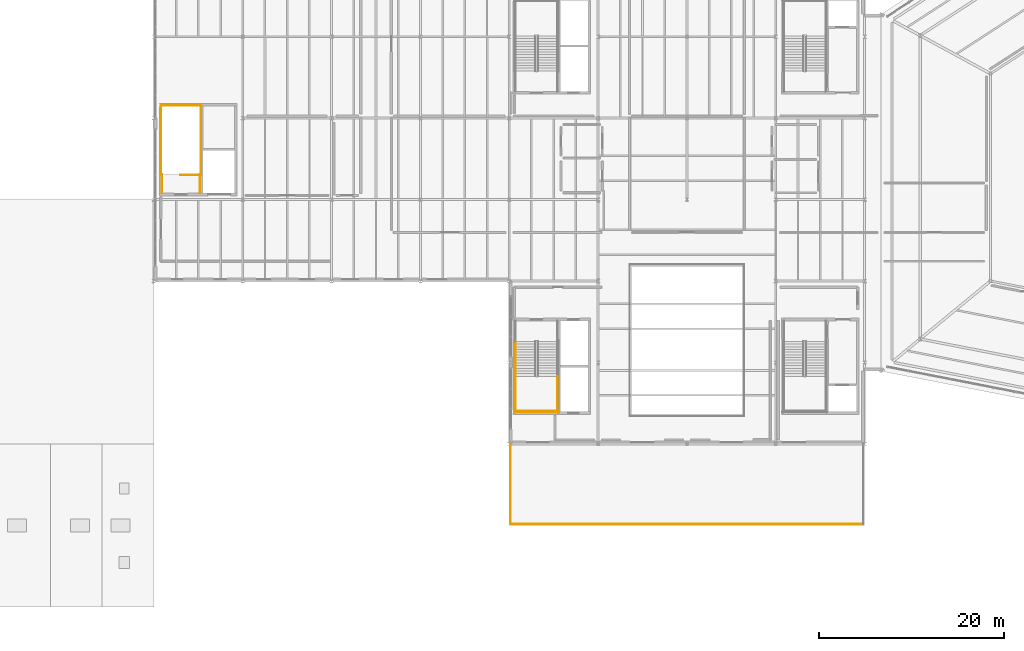
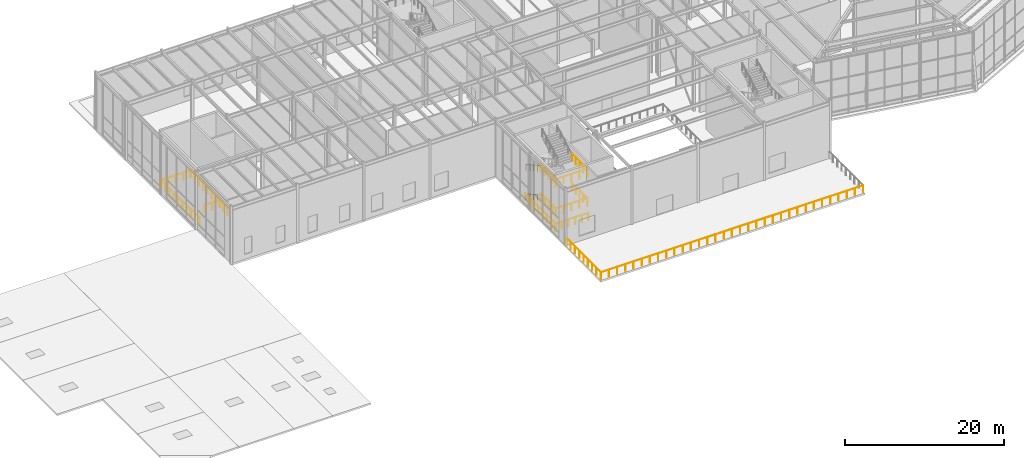
# One storey, part 42 of 48: 18 railings.
"""IFC4 building model written with IfcOpenShell, lengths in metres."""

import ifcopenshell
import ifcopenshell.guid

model = None  # the IFC model being written
_history = None  # IfcOwnerHistory: only IFC2X3 demands one
_inside = {}  # id of a spatial element -> (the spatial element, [elements in it])
_under = {}  # id of a project, library or spatial element -> (it, [spatial elements below it])
_declared = {}  # id of a project -> (the project, [libraries it declares])
_typed = {}  # id of a type object -> (the type object, [elements of that type])
_made_of = {}  # id of a material, layer set ... -> (it, [elements and type objects made of it])


def new_model(schema):
    """Start an empty IFC model of exactly this schema.

    Asked for "IFC4X3", IfcOpenShell would pick the latest addendum, in which some entities
    have other attributes; the version numbers below select the first issue.
    IFC2X3 requires an IfcOwnerHistory on every rooted entity: one is made here for all.
    """
    global model, _history
    if schema == "IFC4X3":
        model = ifcopenshell.file(schema_version=(4, 3, 0, 0))
    else:
        model = ifcopenshell.file(schema=schema)
    _inside.clear()
    _under.clear()
    _declared.clear()
    _typed.clear()
    _made_of.clear()
    _history = None
    if model.schema == "IFC2X3":
        org = make("IfcOrganization", Name="unknown")
        user = make(
            "IfcPersonAndOrganization",
            ThePerson=make("IfcPerson", FamilyName="unknown"),
            TheOrganization=org,
        )
        app = make(
            "IfcApplication",
            ApplicationDeveloper=org,
            Version="unknown",
            ApplicationFullName="unknown",
            ApplicationIdentifier="unknown",
        )
        _history = make(
            "IfcOwnerHistory",
            OwningUser=user,
            OwningApplication=app,
            ChangeAction="ADDED",
            CreationDate=0,
        )
    return model


def make(cls, **values):
    """One entity of the class cls with the attributes given. An attribute that is None is left unset."""
    return model.create_entity(
        cls, **{name: value for name, value in values.items() if value is not None}
    )


def rooted(cls, **values):
    """An entity with a GlobalId (a new one), such as an element, a storey or a relation."""
    return make(cls, GlobalId=ifcopenshell.guid.new(), OwnerHistory=_history, **values)


def si_unit(unit_type, name, prefix=None):
    """IfcSIUnit, for example si_unit("LENGTHUNIT", "METRE", prefix="MILLI")."""
    return make("IfcSIUnit", UnitType=unit_type, Prefix=prefix, Name=name)


def assignment(units):
    """IfcUnitAssignment: the units of a project."""
    return None if units is None else make("IfcUnitAssignment", Units=units)


def point(xyz):
    """IfcCartesianPoint."""
    return None if xyz is None else make("IfcCartesianPoint", Coordinates=xyz)


def direction(xyz):
    """IfcDirection."""
    return None if xyz is None else make("IfcDirection", DirectionRatios=xyz)


def frame(location, z_axis=None, x_axis=None):
    """IfcAxis2Placement3D, a coordinate frame: its origin and axes. An axis left out is left unset."""
    return make(
        "IfcAxis2Placement3D",
        Location=point(location),
        Axis=direction(z_axis),
        RefDirection=direction(x_axis),
    )


def frame_2d(location, x_axis=None):
    """IfcAxis2Placement2D, a coordinate frame in the plane: its origin and x axis."""
    return make(
        "IfcAxis2Placement2D", Location=point(location), RefDirection=direction(x_axis)
    )


def origin():
    """The frame at (0, 0, 0) with its axes left unset."""
    return frame((0.0, 0.0, 0.0))


def origin_2d():
    """The frame at (0, 0) in the plane with its x axis left unset."""
    return frame_2d((0.0, 0.0))


def place(relative_to, where):
    """IfcLocalPlacement: puts the frame where relative to a parent placement (None: the world)."""
    return make(
        "IfcLocalPlacement", PlacementRelTo=relative_to, RelativePlacement=where
    )


def context(
    kind, dimensions, precision=None, world=None, true_north=None, identifier=None
):
    """IfcGeometricRepresentationContext, for example the 3D "Model" context."""
    return make(
        "IfcGeometricRepresentationContext",
        ContextIdentifier=identifier,
        ContextType=kind,
        CoordinateSpaceDimension=dimensions,
        Precision=precision,
        WorldCoordinateSystem=world,
        TrueNorth=true_north,
    )


def subcontext(parent, identifier, kind, view, scale=None):
    """IfcGeometricRepresentationSubContext, for example "Body" below "Model"."""
    return make(
        "IfcGeometricRepresentationSubContext",
        ContextIdentifier=identifier,
        ContextType=kind,
        ParentContext=parent,
        TargetScale=scale,
        TargetView=view,
    )


def project(units=None, contexts=None):
    """IfcProject with its units and contexts."""
    return rooted(
        "IfcProject",
        Name="project",
        RepresentationContexts=contexts,
        UnitsInContext=assignment(units),
    )


def spatial(cls, under=None, at=None, **own):
    """A site, building, storey or space (cls), placed at a placement, below another one or the project."""
    s = rooted(cls, ObjectPlacement=at, **own)
    if under is not None:
        _under.setdefault(under.id(), (under, []))[1].append(s)
    return s


def profile(cls, at=None, kind="AREA", **sizes):
    """A parametric profile (cls). Its sizes go by their IFC names, for example OverallWidth=200.0."""
    return make(cls, ProfileType=kind, Position=at, **sizes)


def circle(**sizes):
    """IfcCircleProfileDef."""
    return profile("IfcCircleProfileDef", **sizes)


def extrude(swept, where, along, depth):
    """IfcExtrudedAreaSolid: the profile swept, set in the frame where, extruded along a direction by depth."""
    return make(
        "IfcExtrudedAreaSolid",
        SweptArea=swept,
        Position=where,
        ExtrudedDirection=direction(along),
        Depth=depth,
    )


def shape(context_of_items, identifier, shape_type, items):
    """IfcShapeRepresentation: the items that make up one representation, for example the "Body"."""
    return make(
        "IfcShapeRepresentation",
        ContextOfItems=context_of_items,
        RepresentationIdentifier=identifier,
        RepresentationType=shape_type,
        Items=items,
    )


def material(Name=None, Category=None):
    """IfcMaterial."""
    return make("IfcMaterial", Name=Name, Category=Category)


def layer(
    of_material, thickness, ventilated=None, Name=None, Category=None, Priority=None
):
    """IfcMaterialLayer: one layer of a wall or slab, of a material (None: an air gap)."""
    return make(
        "IfcMaterialLayer",
        Material=of_material,
        LayerThickness=thickness,
        IsVentilated=ventilated,
        Name=Name,
        Category=Category,
        Priority=Priority,
    )


def layer_set(layers, Name=None):
    """IfcMaterialLayerSet."""
    return make("IfcMaterialLayerSet", MaterialLayers=layers, LayerSetName=Name)


def made_of(thing, what):
    """Note that an element or type object is made of a material, layer set ...; save() writes the relation."""
    if what is not None:
        _made_of.setdefault(what.id(), (what, []))[1].append(thing)
    return thing


def type_object(cls, material=None, **own):
    """A type object (cls), such as IfcWallType, which elements share."""
    return made_of(rooted(cls, **own), material)


def element(
    cls,
    number,
    at=None,
    inside=None,
    cuts=None,
    type_object=None,
    material=None,
    context=None,
    identifier="Body",
    shape_type=None,
    held_by="IfcProductDefinitionShape",
    body=None,
    shapes=None,
    **own,
):
    """One element of the class cls, such as IfcWall. Its Tag is "e" and its number.

    at: its placement. inside: the storey or other place that contains it. cuts: it is an
    opening in that element (IfcRelVoidsElement). A single representation is given by context,
    identifier, shape_type and body (its items); several are given by shapes. held_by: the class
    of the entity that holds the representations. save() writes the other relations.
    """
    e = rooted(cls, Tag="e%d" % number, ObjectPlacement=at, **own)
    if body is not None:
        shapes = [shape(context, identifier, shape_type, body)]
    if shapes is not None:
        e.Representation = make(held_by, Representations=shapes)
    if inside is not None:
        _inside.setdefault(inside.id(), (inside, []))[1].append(e)
    if cuts is not None:
        rooted(
            "IfcRelVoidsElement", RelatingBuildingElement=cuts, RelatedOpeningElement=e
        )
    if type_object is not None:
        _typed.setdefault(type_object.id(), (type_object, []))[1].append(e)
    return made_of(e, material)


def aggregate(whole, parts):
    """IfcRelAggregates: a whole, such as a stair, and the parts it consists of."""
    return rooted("IfcRelAggregates", RelatingObject=whole, RelatedObjects=parts)


def save(model, path):
    """Write the relations noted so far, then the file.

    IfcRelAggregates (storeys below a building ...), IfcRelContainedInSpatialStructure (elements
    in a storey), IfcRelDefinesByType, IfcRelAssociatesMaterial and IfcRelDeclares: one each for
    every whole, place, type object, material and project.
    """
    for whole, parts in _under.values():
        aggregate(whole, parts)
    for where, things in _inside.values():
        rooted(
            "IfcRelContainedInSpatialStructure",
            RelatedElements=things,
            RelatingStructure=where,
        )
    for kind, things in _typed.values():
        rooted("IfcRelDefinesByType", RelatedObjects=things, RelatingType=kind)
    for what, things in _made_of.values():
        rooted("IfcRelAssociatesMaterial", RelatedObjects=things, RelatingMaterial=what)
    for by, libraries in _declared.values():
        rooted("IfcRelDeclares", RelatingContext=by, RelatedDefinitions=libraries)
    model.write(path)


model = new_model("IFC4")

# Units and contexts
model_context = context("Model", 3, precision=1e-05, world=origin(), true_north=direction((0.0, 1.0)))
body_context = subcontext(model_context, "Body", "Model", "MODEL_VIEW")
ifc_project = project(units=[si_unit("LENGTHUNIT", "METRE"), si_unit("AREAUNIT", "SQUARE_METRE"), si_unit("VOLUMEUNIT", "CUBIC_METRE"), si_unit("PLANEANGLEUNIT", "RADIAN"), si_unit("MASSUNIT", "GRAM", prefix="KILO")], contexts=[model_context])

# Site, building, storey
site_placement = place(None, origin())
site = spatial("IfcSite", under=ifc_project, at=site_placement, CompositionType="ELEMENT")
building_placement = place(site_placement, origin())
building = spatial("IfcBuilding", under=site, at=building_placement, Name="Sarnbrook Museum", CompositionType="ELEMENT")
storey_placement = place(building_placement, frame((0.0, 0.0, 19.10009765625)))
storey = spatial("IfcBuildingStorey", under=building, at=storey_placement, Name="L04", CompositionType="ELEMENT", Elevation=19.10009765625)

# Railings
ifc_material_1 = material(Name="Brushed Stainless Steel Grade 316", Category="steel")
ifc_layer_1 = layer(ifc_material_1, 0.050048828125)
ifc_layer_set_1 = layer_set([ifc_layer_1], Name="Brushed Stainless Steel Grade 316")
railing_type_1 = type_object("IfcRailingType", Name="Guard_Int1120", PredefinedType="BALUSTRADE", material=ifc_layer_set_1)
for number, where, name in (
    (1, (81.489990234375, 64.110107421875, 2.25), "L04 ST3 stair guard 3"),
    (2, (86.010009765625, 64.110107421875, 2.25), "L04 ST3 stair guard 4"),
):
    element("IfcRailing", number, at=place(storey_placement, frame(where)), inside=storey, type_object=railing_type_1, Name=name, PredefinedType="BALUSTRADE", context=body_context, shape_type="SweptSolid", body=[
        extrude(circle(Radius=0.02392578125, at=origin_2d()), frame((0.0, 0.0, 1.09619140625), z_axis=(0.0, -1.0, 0.0), x_axis=(1.0, 0.0, 0.0)), (0.0, 0.0, 1.0), 3.81005859375),
        extrude(circle(Radius=0.02099609375, at=origin_2d()), origin(), (0.0, 0.0, 1.0), 1.072021484375),
        extrude(circle(Radius=0.02099609375, at=origin_2d()), frame((0.0, -0.95263671875, 0.0)), (0.0, 0.0, 1.0), 1.072021484375),
        extrude(circle(Radius=0.02099609375, at=origin_2d()), frame((0.0, -1.905029296875, 0.0)), (0.0, 0.0, 1.0), 1.072021484375),
        extrude(circle(Radius=0.02099609375, at=origin_2d()), frame((0.0, -2.857421875, 0.0)), (0.0, 0.0, 1.0), 1.072021484375),
        extrude(circle(Radius=0.02099609375, at=origin_2d()), frame((0.0, -3.81005859375, 0.0)), (0.0, 0.0, 1.0), 1.072021484375),
    ])
railing_1_placement = place(storey_placement, frame((81.43994140625, 60.35009765625, 2.25)))
element("IfcRailing", 3, at=railing_1_placement, inside=storey, type_object=railing_type_1, Name="L04 ST3 stair guard 5", PredefinedType="BALUSTRADE", context=body_context, shape_type="SweptSolid", body=[
    extrude(circle(Radius=0.02392578125, at=origin_2d()), frame((0.0, 0.0, 1.09619140625), z_axis=(1.0, 0.0, 0.0), x_axis=(0.0, 1.0, 0.0)), (0.0, 0.0, 1.0), 4.6201171875),
    extrude(circle(Radius=0.02099609375, at=origin_2d()), origin(), (0.0, 0.0, 1.0), 1.072021484375),
    extrude(circle(Radius=0.02099609375, at=origin_2d()), frame((1.155029296875, 0.0, 0.0)), (0.0, 0.0, 1.0), 1.072021484375),
    extrude(circle(Radius=0.02099609375, at=origin_2d()), frame((2.31005859375, 0.0, 0.0)), (0.0, 0.0, 1.0), 1.072021484375),
    extrude(circle(Radius=0.02099609375, at=origin_2d()), frame((3.465087890625, 0.0, 0.0)), (0.0, 0.0, 1.0), 1.072021484375),
    extrude(circle(Radius=0.02099609375, at=origin_2d()), frame((4.6201171875, 0.0, 0.0)), (0.0, 0.0, 1.0), 1.072021484375),
])
for number, where, name in (
    (4, (81.489990234375, 64.110107421875, 6.75), "L04 ST3 stair guard 12"),
    (5, (86.010009765625, 64.110107421875, 6.75), "L04 ST3 stair guard 13"),
):
    element("IfcRailing", number, at=place(storey_placement, frame(where)), inside=storey, type_object=railing_type_1, Name=name, PredefinedType="BALUSTRADE", context=body_context, shape_type="SweptSolid", body=[
        extrude(circle(Radius=0.02392578125, at=origin_2d()), frame((0.0, 0.0, 1.09619140625), z_axis=(0.0, -1.0, 0.0), x_axis=(1.0, 0.0, 0.0)), (0.0, 0.0, 1.0), 3.81005859375),
        extrude(circle(Radius=0.02099609375, at=origin_2d()), origin(), (0.0, 0.0, 1.0), 1.072021484375),
        extrude(circle(Radius=0.02099609375, at=origin_2d()), frame((0.0, -0.95263671875, 0.0)), (0.0, 0.0, 1.0), 1.072021484375),
        extrude(circle(Radius=0.02099609375, at=origin_2d()), frame((0.0, -1.905029296875, 0.0)), (0.0, 0.0, 1.0), 1.072021484375),
        extrude(circle(Radius=0.02099609375, at=origin_2d()), frame((0.0, -2.857421875, 0.0)), (0.0, 0.0, 1.0), 1.072021484375),
        extrude(circle(Radius=0.02099609375, at=origin_2d()), frame((0.0, -3.81005859375, 0.0)), (0.0, 0.0, 1.0), 1.072021484375),
    ])
railing_2_placement = place(storey_placement, frame((81.43994140625, 60.35009765625, 6.75)))
element("IfcRailing", 6, at=railing_2_placement, inside=storey, type_object=railing_type_1, Name="L04 ST3 stair guard 14", PredefinedType="BALUSTRADE", context=body_context, shape_type="SweptSolid", body=[
    extrude(circle(Radius=0.02392578125, at=origin_2d()), frame((0.0, 0.0, 1.09619140625), z_axis=(1.0, 0.0, 0.0), x_axis=(0.0, 1.0, 0.0)), (0.0, 0.0, 1.0), 4.6201171875),
    extrude(circle(Radius=0.02099609375, at=origin_2d()), origin(), (0.0, 0.0, 1.0), 1.072021484375),
    extrude(circle(Radius=0.02099609375, at=origin_2d()), frame((1.155029296875, 0.0, 0.0)), (0.0, 0.0, 1.0), 1.072021484375),
    extrude(circle(Radius=0.02099609375, at=origin_2d()), frame((2.31005859375, 0.0, 0.0)), (0.0, 0.0, 1.0), 1.072021484375),
    extrude(circle(Radius=0.02099609375, at=origin_2d()), frame((3.465087890625, 0.0, 0.0)), (0.0, 0.0, 1.0), 1.072021484375),
    extrude(circle(Radius=0.02099609375, at=origin_2d()), frame((4.6201171875, 0.0, 0.0)), (0.0, 0.0, 1.0), 1.072021484375),
])
railing_3_placement = place(storey_placement, frame((81.389892578125, 67.97998046875, 0.0)))
element("IfcRailing", 7, at=railing_3_placement, inside=storey, type_object=railing_type_1, Name="L04 ST3 stair guard 19", PredefinedType="BALUSTRADE", context=body_context, shape_type="SweptSolid", body=[
    extrude(circle(Radius=0.02392578125, at=origin_2d()), frame((0.0, 0.0, 1.09619140625), z_axis=(0.0, -1.0, 0.0), x_axis=(1.0, 0.0, 0.0)), (0.0, 0.0, 1.0), 7.780029296875),
    extrude(circle(Radius=0.02099609375, at=origin_2d()), origin(), (0.0, 0.0, 1.0), 1.072021484375),
    extrude(circle(Radius=0.02099609375, at=origin_2d()), frame((0.0, -1.111328125, 0.0)), (0.0, 0.0, 1.0), 1.072021484375),
    extrude(circle(Radius=0.02099609375, at=origin_2d()), frame((0.0, -2.222900390625, 0.0)), (0.0, 0.0, 1.0), 1.072021484375),
    extrude(circle(Radius=0.02099609375, at=origin_2d()), frame((0.0, -3.334228515625, 0.0)), (0.0, 0.0, 1.0), 1.072021484375),
    extrude(circle(Radius=0.02099609375, at=origin_2d()), frame((0.0, -4.44580078125, 0.0)), (0.0, 0.0, 1.0), 1.072021484375),
    extrude(circle(Radius=0.02099609375, at=origin_2d()), frame((0.0, -5.55712890625, 0.0)), (0.0, 0.0, 1.0), 1.072021484375),
    extrude(circle(Radius=0.02099609375, at=origin_2d()), frame((0.0, -6.668701171875, 0.0)), (0.0, 0.0, 1.0), 1.072021484375),
    extrude(circle(Radius=0.02099609375, at=origin_2d()), frame((0.0, -7.780029296875, 0.0)), (0.0, 0.0, 1.0), 1.072021484375),
])
railing_4_placement = place(storey_placement, frame((81.340087890625, 60.25, 0.0)))
element("IfcRailing", 8, at=railing_4_placement, inside=storey, type_object=railing_type_1, Name="L04 ST3 stair guard 21", PredefinedType="BALUSTRADE", context=body_context, shape_type="SweptSolid", body=[
    extrude(circle(Radius=0.02392578125, at=origin_2d()), frame((0.0, 0.0, 1.09619140625), z_axis=(1.0, 0.0, 0.0), x_axis=(0.0, 1.0, 0.0)), (0.0, 0.0, 1.0), 4.81982421875),
    extrude(circle(Radius=0.02099609375, at=origin_2d()), origin(), (0.0, 0.0, 1.0), 1.072021484375),
    extrude(circle(Radius=0.02099609375, at=origin_2d()), frame((0.9638671875, 0.0, 0.0)), (0.0, 0.0, 1.0), 1.072021484375),
    extrude(circle(Radius=0.02099609375, at=origin_2d()), frame((1.927978515625, 0.0, 0.0)), (0.0, 0.0, 1.0), 1.072021484375),
    extrude(circle(Radius=0.02099609375, at=origin_2d()), frame((2.891845703125, 0.0, 0.0)), (0.0, 0.0, 1.0), 1.072021484375),
    extrude(circle(Radius=0.02099609375, at=origin_2d()), frame((3.85595703125, 0.0, 0.0)), (0.0, 0.0, 1.0), 1.072021484375),
    extrude(circle(Radius=0.02099609375, at=origin_2d()), frame((4.81982421875, 0.0, 0.0)), (0.0, 0.0, 1.0), 1.072021484375),
])
railing_5_placement = place(storey_placement, frame((47.43994140625, 85.8701171875, 0.0)))
element("IfcRailing", 9, at=railing_5_placement, inside=storey, type_object=railing_type_1, Name="L04 ST6 top well guard 1", PredefinedType="BALUSTRADE", context=body_context, shape_type="SweptSolid", body=[
    extrude(circle(Radius=0.02392578125, at=origin_2d()), frame((0.0, 0.0, 1.09619140625), z_axis=(-1.0, 0.0, 0.0), x_axis=(0.0, -1.0, 0.0)), (0.0, 0.0, 1.0), 2.179931640625),
    extrude(circle(Radius=0.02099609375, at=origin_2d()), origin(), (0.0, 0.0, 1.0), 1.072021484375),
    extrude(circle(Radius=0.02099609375, at=origin_2d()), frame((-1.08984375, 0.0, 0.0)), (0.0, 0.0, 1.0), 1.072021484375),
    extrude(circle(Radius=0.02099609375, at=origin_2d()), frame((-2.179931640625, 0.0, 0.0)), (0.0, 0.0, 1.0), 1.072021484375),
])
for number, where, name in (
    (10, (47.489990234375, 85.820068359375, 0.0), "L04 ST6 top well guard 2"),
    (11, (43.18994140625, 85.820068359375, 0.0), "L04 ST6 top well guard 3"),
):
    element("IfcRailing", number, at=place(storey_placement, frame(where)), inside=storey, type_object=railing_type_1, Name=name, PredefinedType="BALUSTRADE", context=body_context, shape_type="SweptSolid", body=[
        extrude(circle(Radius=0.02392578125, at=origin_2d()), frame((0.0, 0.0, 1.09619140625), z_axis=(0.0, 1.0, 0.0), x_axis=(-1.0, 0.0, 0.0)), (0.0, 0.0, 1.0), 7.579833984375),
        extrude(circle(Radius=0.02099609375, at=origin_2d()), origin(), (0.0, 0.0, 1.0), 1.072021484375),
        extrude(circle(Radius=0.02099609375, at=origin_2d()), frame((0.0, 1.082763671875, 0.0)), (0.0, 0.0, 1.0), 1.072021484375),
        extrude(circle(Radius=0.02099609375, at=origin_2d()), frame((0.0, 2.165771484375, 0.0)), (0.0, 0.0, 1.0), 1.072021484375),
        extrude(circle(Radius=0.02099609375, at=origin_2d()), frame((0.0, 3.24853515625, 0.0)), (0.0, 0.0, 1.0), 1.072021484375),
        extrude(circle(Radius=0.02099609375, at=origin_2d()), frame((0.0, 4.331298828125, 0.0)), (0.0, 0.0, 1.0), 1.072021484375),
        extrude(circle(Radius=0.02099609375, at=origin_2d()), frame((0.0, 5.4140625, 0.0)), (0.0, 0.0, 1.0), 1.072021484375),
        extrude(circle(Radius=0.02099609375, at=origin_2d()), frame((0.0, 6.4970703125, 0.0)), (0.0, 0.0, 1.0), 1.072021484375),
        extrude(circle(Radius=0.02099609375, at=origin_2d()), frame((0.0, 7.579833984375, 0.0)), (0.0, 0.0, 1.0), 1.072021484375),
    ])
railing_6_placement = place(storey_placement, frame((47.5400390625, 93.35009765625, 0.0)))
element("IfcRailing", 12, at=railing_6_placement, inside=storey, type_object=railing_type_1, Name="L04 ST6 top well guard 4", PredefinedType="BALUSTRADE", context=body_context, shape_type="SweptSolid", body=[
    extrude(circle(Radius=0.02392578125, at=origin_2d()), frame((0.0, 0.0, 1.09619140625), z_axis=(-1.0, 0.0, 0.0), x_axis=(0.0, -1.0, 0.0)), (0.0, 0.0, 1.0), 4.400146484375),
    extrude(circle(Radius=0.02099609375, at=origin_2d()), origin(), (0.0, 0.0, 1.0), 1.072021484375),
    extrude(circle(Radius=0.02099609375, at=origin_2d()), frame((-1.10009765625, 0.0, 0.0)), (0.0, 0.0, 1.0), 1.072021484375),
    extrude(circle(Radius=0.02099609375, at=origin_2d()), frame((-2.2001953125, 0.0, 0.0)), (0.0, 0.0, 1.0), 1.072021484375),
    extrude(circle(Radius=0.02099609375, at=origin_2d()), frame((-3.300048828125, 0.0, 0.0)), (0.0, 0.0, 1.0), 1.072021484375),
    extrude(circle(Radius=0.02099609375, at=origin_2d()), frame((-4.400146484375, 0.0, 0.0)), (0.0, 0.0, 1.0), 1.072021484375),
])
for number, where, name in (
    (13, (47.389892578125, 83.89990234375, 0.0), "L04 ST6 top well guard 5"),
    (14, (43.2900390625, 83.89990234375, 0.0), "L04 ST6 top well guard 6"),
):
    element("IfcRailing", number, at=place(storey_placement, frame(where)), inside=storey, type_object=railing_type_1, Name=name, PredefinedType="BALUSTRADE", context=body_context, shape_type="SweptSolid", body=[
        extrude(circle(Radius=0.02392578125, at=origin_2d()), frame((0.0, 0.0, 1.09619140625), z_axis=(0.0, 1.0, 0.0), x_axis=(-1.0, 0.0, 0.0)), (0.0, 0.0, 1.0), 2.02001953125),
        extrude(circle(Radius=0.02099609375, at=origin_2d()), origin(), (0.0, 0.0, 1.0), 1.072021484375),
        extrude(circle(Radius=0.02099609375, at=origin_2d()), frame((0.0, 1.010009765625, 0.0)), (0.0, 0.0, 1.0), 1.072021484375),
        extrude(circle(Radius=0.02099609375, at=origin_2d()), frame((0.0, 2.02001953125, 0.0)), (0.0, 0.0, 1.0), 1.072021484375),
    ])
ifc_material_2 = material(Name="Patinated Architectural Bronze")
railing_type_2 = type_object("IfcRailingType", Name="Guardrail_Terrace1150", PredefinedType="GUARDRAIL", material=ifc_material_2)
railing_7_placement = place(storey_placement, frame((80.949951171875, 56.800048828125, 0.0)))
element("IfcRailing", 15, at=railing_7_placement, inside=storey, type_object=railing_type_2, Name="South Concourse Roof Garden Terrace Guardrail L04-1", PredefinedType="GUARDRAIL", context=body_context, shape_type="SweptSolid", body=[
    extrude(circle(Radius=0.02392578125, at=origin_2d()), frame((0.0, 0.0, 1.1259765625), z_axis=(0.0, -1.0, 0.0), x_axis=(1.0, 0.0, 0.0)), (0.0, 0.0, 1.0), 8.650146484375),
    extrude(circle(Radius=0.02099609375, at=origin_2d()), origin(), (0.0, 0.0, 1.0), 1.101806640625),
    extrude(circle(Radius=0.02099609375, at=origin_2d()), frame((0.0, -1.081298828125, 0.0)), (0.0, 0.0, 1.0), 1.101806640625),
    extrude(circle(Radius=0.02099609375, at=origin_2d()), frame((0.0, -2.16259765625, 0.0)), (0.0, 0.0, 1.0), 1.101806640625),
    extrude(circle(Radius=0.02099609375, at=origin_2d()), frame((0.0, -3.243896484375, 0.0)), (0.0, 0.0, 1.0), 1.101806640625),
    extrude(circle(Radius=0.02099609375, at=origin_2d()), frame((0.0, -4.3251953125, 0.0)), (0.0, 0.0, 1.0), 1.101806640625),
    extrude(circle(Radius=0.02099609375, at=origin_2d()), frame((0.0, -5.40625, 0.0)), (0.0, 0.0, 1.0), 1.101806640625),
    extrude(circle(Radius=0.02099609375, at=origin_2d()), frame((0.0, -6.487548828125, 0.0)), (0.0, 0.0, 1.0), 1.101806640625),
    extrude(circle(Radius=0.02099609375, at=origin_2d()), frame((0.0, -7.56884765625, 0.0)), (0.0, 0.0, 1.0), 1.101806640625),
    extrude(circle(Radius=0.02099609375, at=origin_2d()), frame((0.0, -8.650146484375, 0.0)), (0.0, 0.0, 1.0), 1.101806640625),
])
railing_8_placement = place(storey_placement, frame((80.949951171875, 48.14990234375, 0.0)))
element("IfcRailing", 16, at=railing_8_placement, inside=storey, type_object=railing_type_2, Name="South Concourse Roof Garden Terrace Guardrail L04-2", PredefinedType="GUARDRAIL", context=body_context, shape_type="SweptSolid", body=[
    extrude(circle(Radius=0.02392578125, at=origin_2d()), frame((0.0, 0.0, 1.1259765625), z_axis=(1.0, 0.0, 0.0), x_axis=(0.0, 1.0, 0.0)), (0.0, 0.0, 1.0), 38.10009765625),
    extrude(circle(Radius=0.02099609375, at=origin_2d()), origin(), (0.0, 0.0, 1.0), 1.101806640625),
    extrude(circle(Radius=0.02099609375, at=origin_2d()), frame((1.190673828125, 0.0, 0.0)), (0.0, 0.0, 1.0), 1.101806640625),
    extrude(circle(Radius=0.02099609375, at=origin_2d()), frame((2.38134765625, 0.0, 0.0)), (0.0, 0.0, 1.0), 1.101806640625),
    extrude(circle(Radius=0.02099609375, at=origin_2d()), frame((3.57177734375, 0.0, 0.0)), (0.0, 0.0, 1.0), 1.101806640625),
    extrude(circle(Radius=0.02099609375, at=origin_2d()), frame((4.762451171875, 0.0, 0.0)), (0.0, 0.0, 1.0), 1.101806640625),
    extrude(circle(Radius=0.02099609375, at=origin_2d()), frame((5.953125, 0.0, 0.0)), (0.0, 0.0, 1.0), 1.101806640625),
    extrude(circle(Radius=0.02099609375, at=origin_2d()), frame((7.143798828125, 0.0, 0.0)), (0.0, 0.0, 1.0), 1.101806640625),
    extrude(circle(Radius=0.02099609375, at=origin_2d()), frame((8.33447265625, 0.0, 0.0)), (0.0, 0.0, 1.0), 1.101806640625),
    extrude(circle(Radius=0.02099609375, at=origin_2d()), frame((9.52490234375, 0.0, 0.0)), (0.0, 0.0, 1.0), 1.101806640625),
    extrude(circle(Radius=0.02099609375, at=origin_2d()), frame((10.715576171875, 0.0, 0.0)), (0.0, 0.0, 1.0), 1.101806640625),
    extrude(circle(Radius=0.02099609375, at=origin_2d()), frame((11.90625, 0.0, 0.0)), (0.0, 0.0, 1.0), 1.101806640625),
    extrude(circle(Radius=0.02099609375, at=origin_2d()), frame((13.096923828125, 0.0, 0.0)), (0.0, 0.0, 1.0), 1.101806640625),
    extrude(circle(Radius=0.02099609375, at=origin_2d()), frame((14.28759765625, 0.0, 0.0)), (0.0, 0.0, 1.0), 1.101806640625),
    extrude(circle(Radius=0.02099609375, at=origin_2d()), frame((15.478271484375, 0.0, 0.0)), (0.0, 0.0, 1.0), 1.101806640625),
    extrude(circle(Radius=0.02099609375, at=origin_2d()), frame((16.668701171875, 0.0, 0.0)), (0.0, 0.0, 1.0), 1.101806640625),
    extrude(circle(Radius=0.02099609375, at=origin_2d()), frame((17.859375, 0.0, 0.0)), (0.0, 0.0, 1.0), 1.101806640625),
    extrude(circle(Radius=0.02099609375, at=origin_2d()), frame((19.050048828125, 0.0, 0.0)), (0.0, 0.0, 1.0), 1.101806640625),
    extrude(circle(Radius=0.02099609375, at=origin_2d()), frame((20.24072265625, 0.0, 0.0)), (0.0, 0.0, 1.0), 1.101806640625),
    extrude(circle(Radius=0.02099609375, at=origin_2d()), frame((21.431396484375, 0.0, 0.0)), (0.0, 0.0, 1.0), 1.101806640625),
    extrude(circle(Radius=0.02099609375, at=origin_2d()), frame((22.621826171875, 0.0, 0.0)), (0.0, 0.0, 1.0), 1.101806640625),
    extrude(circle(Radius=0.02099609375, at=origin_2d()), frame((23.8125, 0.0, 0.0)), (0.0, 0.0, 1.0), 1.101806640625),
    extrude(circle(Radius=0.02099609375, at=origin_2d()), frame((25.003173828125, 0.0, 0.0)), (0.0, 0.0, 1.0), 1.101806640625),
    extrude(circle(Radius=0.02099609375, at=origin_2d()), frame((26.19384765625, 0.0, 0.0)), (0.0, 0.0, 1.0), 1.101806640625),
    extrude(circle(Radius=0.02099609375, at=origin_2d()), frame((27.384521484375, 0.0, 0.0)), (0.0, 0.0, 1.0), 1.101806640625),
    extrude(circle(Radius=0.02099609375, at=origin_2d()), frame((28.5751953125, 0.0, 0.0)), (0.0, 0.0, 1.0), 1.101806640625),
    extrude(circle(Radius=0.02099609375, at=origin_2d()), frame((29.765625, 0.0, 0.0)), (0.0, 0.0, 1.0), 1.101806640625),
    extrude(circle(Radius=0.02099609375, at=origin_2d()), frame((30.956298828125, 0.0, 0.0)), (0.0, 0.0, 1.0), 1.101806640625),
    extrude(circle(Radius=0.02099609375, at=origin_2d()), frame((32.14697265625, 0.0, 0.0)), (0.0, 0.0, 1.0), 1.101806640625),
    extrude(circle(Radius=0.02099609375, at=origin_2d()), frame((33.337646484375, 0.0, 0.0)), (0.0, 0.0, 1.0), 1.101806640625),
    extrude(circle(Radius=0.02099609375, at=origin_2d()), frame((34.5283203125, 0.0, 0.0)), (0.0, 0.0, 1.0), 1.101806640625),
    extrude(circle(Radius=0.02099609375, at=origin_2d()), frame((35.71875, 0.0, 0.0)), (0.0, 0.0, 1.0), 1.101806640625),
    extrude(circle(Radius=0.02099609375, at=origin_2d()), frame((36.909423828125, 0.0, 0.0)), (0.0, 0.0, 1.0), 1.101806640625),
    extrude(circle(Radius=0.02099609375, at=origin_2d()), frame((38.10009765625, 0.0, 0.0)), (0.0, 0.0, 1.0), 1.101806640625),
])
ifc_layer_2 = layer(ifc_material_1, 0.048095703125)
ifc_layer_set_2 = layer_set([ifc_layer_2], Name="Brushed Stainless Steel Grade 316")
railing_type_3 = type_object("IfcRailingType", Name="Handrail_920", PredefinedType="HANDRAIL", material=ifc_layer_set_2)
for number, where, name in (
    (17, (81.489990234375, 67.8798828125, 0.16064453125), "L04 ST3 stair handrail 1"),
    (18, (81.489990234375, 67.8798828125, 4.66064453125), "L04 ST3 stair handrail 3"),
):
    element("IfcRailing", number, at=place(storey_placement, frame(where)), inside=storey, type_object=railing_type_3, Name=name, PredefinedType="HANDRAIL", context=body_context, shape_type="SweptSolid", body=[
        extrude(circle(Radius=0.02392578125, at=origin_2d()), frame((0.0, 0.0, 0.8857421875), z_axis=(0.0, -0.874645791573, 0.484762559697), x_axis=(1.0, 0.0, 0.0)), (0.0, 0.0, 1.0), 4.31005859375),
        extrude(circle(Radius=0.02099609375, at=origin_2d()), origin(), (0.0, 0.0, 1.0), 0.86181640625),
        extrude(circle(Radius=0.02099609375, at=origin_2d()), frame((0.0, -0.9423828125, 0.5224609375)), (0.0, 0.0, 1.0), 0.86181640625),
        extrude(circle(Radius=0.02099609375, at=origin_2d()), frame((0.0, -1.884765625, 1.044677734375)), (0.0, 0.0, 1.0), 0.86181640625),
        extrude(circle(Radius=0.02099609375, at=origin_2d()), frame((0.0, -2.827392578125, 1.56689453125)), (0.0, 0.0, 1.0), 0.86181640625),
        extrude(circle(Radius=0.02099609375, at=origin_2d()), frame((0.0, -3.769775390625, 2.08935546875)), (0.0, 0.0, 1.0), 0.86181640625),
    ])

save(model, "model.ifc")
